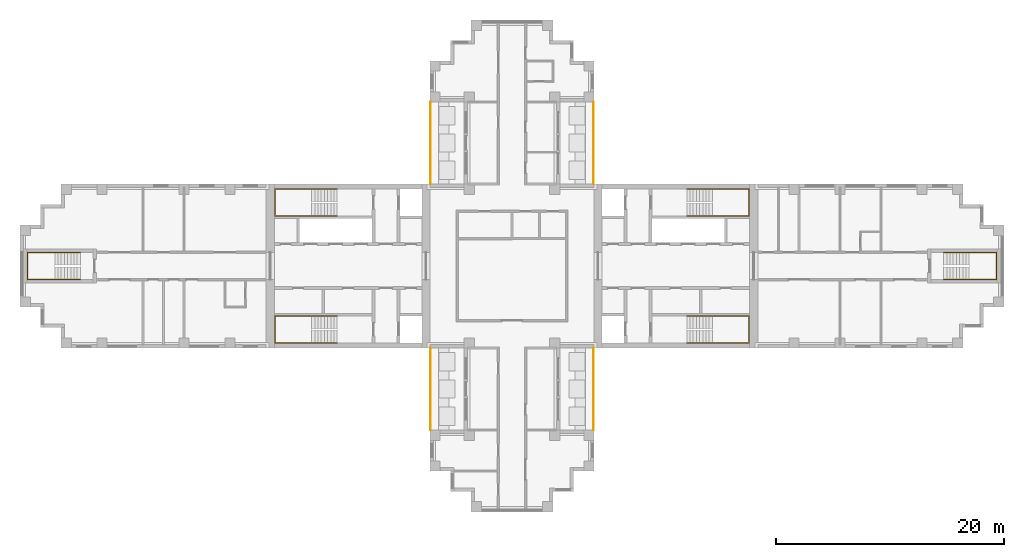
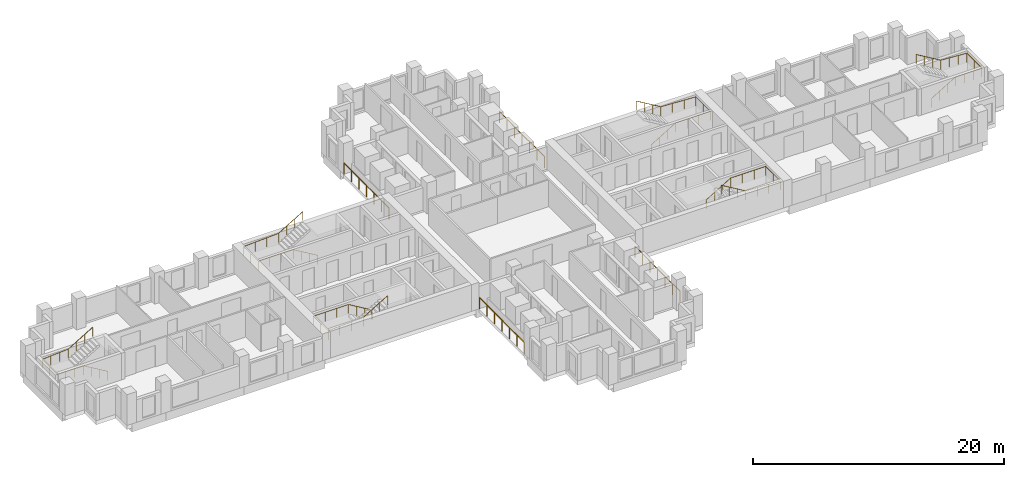
# One storey, part 10 of 11: 10 railings.
"""IFC4 building model written with IfcOpenShell, lengths in metres."""

from ifc_helpers import new_model, si_unit, direction, frame, origin, origin_2d, place, context, subcontext, project, spatial, circle, extrude, material, type_object, element, save


model = new_model("IFC4")

# Units and contexts
model_context = context("Model", 3, precision=1e-05, world=origin(), true_north=direction((0.0, 1.0)))
body_context = subcontext(model_context, "Body", "Model", "MODEL_VIEW")
ifc_project = project(units=[si_unit("LENGTHUNIT", "METRE"), si_unit("AREAUNIT", "SQUARE_METRE"), si_unit("VOLUMEUNIT", "CUBIC_METRE"), si_unit("PLANEANGLEUNIT", "RADIAN"), si_unit("MASSUNIT", "GRAM", prefix="KILO")], contexts=[model_context])

# Site, building, storey
site_placement = place(None, origin())
site = spatial("IfcSite", under=ifc_project, at=site_placement, CompositionType="ELEMENT")
building_placement = place(site_placement, origin())
building = spatial("IfcBuilding", under=site, at=building_placement, Name="Fustian Cross Tower", CompositionType="ELEMENT")
storey_placement = place(building_placement, frame((0.0, 0.0, 138.300048828125)))
storey = spatial("IfcBuildingStorey", under=building, at=storey_placement, Name="L43", CompositionType="ELEMENT", Elevation=138.300048828125)

# Railings
ifc_material_1 = material(Name="Stainless steel and glass", Category="steel")
railing_type_1 = type_object("IfcRailingType", Name="GR1 BALCONY GUARD 1100", PredefinedType="GUARDRAIL", material=ifc_material_1)
for number, where, name in (
    (1, (7.14990234375, 7.199951171875, 0.0), "Balcony guard"),
    (2, (-7.14990234375, 7.199951171875, 0.0), "Balcony guard"),
    (3, (7.14990234375, -14.39990234375, 0.0), "Balcony guard"),
    (4, (-7.14990234375, -14.39990234375, 0.0), "Balcony guard"),
):
    element("IfcRailing", number, at=place(storey_placement, frame(where)), inside=storey, type_object=railing_type_1, Name=name, PredefinedType="GUARDRAIL", context=body_context, shape_type="SweptSolid", body=[
        extrude(circle(Radius=0.02392578125, at=origin_2d()), frame((0.0, 0.0, 1.076171875), z_axis=(0.0, 1.0, 0.0), x_axis=(-1.0, 0.0, 0.0)), (0.0, 0.0, 1.0), 7.199951171875),
        extrude(circle(Radius=0.02099609375, at=origin_2d()), origin(), (0.0, 0.0, 1.0), 1.052001953125),
        extrude(circle(Radius=0.02099609375, at=origin_2d()), frame((0.0, 1.199951171875, 0.0)), (0.0, 0.0, 1.0), 1.052001953125),
        extrude(circle(Radius=0.02099609375, at=origin_2d()), frame((0.0, 2.39990234375, 0.0)), (0.0, 0.0, 1.0), 1.052001953125),
        extrude(circle(Radius=0.02099609375, at=origin_2d()), frame((0.0, 3.60009765625, 0.0)), (0.0, 0.0, 1.0), 1.052001953125),
        extrude(circle(Radius=0.02099609375, at=origin_2d()), frame((0.0, 4.800048828125, 0.0)), (0.0, 0.0, 1.0), 1.052001953125),
        extrude(circle(Radius=0.02099609375, at=origin_2d()), frame((0.0, 6.0, 0.0)), (0.0, 0.0, 1.0), 1.052001953125),
        extrude(circle(Radius=0.02099609375, at=origin_2d()), frame((0.0, 7.199951171875, 0.0)), (0.0, 0.0, 1.0), 1.052001953125),
    ])
ifc_material_2 = material(Name="Stainless steel", Category="steel")
railing_type_2 = type_object("IfcRailingType", Name="STAIR HANDRAIL", PredefinedType="HANDRAIL", material=ifc_material_2)
railing_1_placement = place(storey_placement, frame((15.35009765625, 4.39990234375, 0.16650390625)))
element("IfcRailing", 5, at=railing_1_placement, inside=storey, type_object=railing_type_2, Name="Stair ST1 handrail 1", PredefinedType="HANDRAIL", context=body_context, shape_type="SweptSolid", body=[
    extrude(circle(Radius=0.02490234375, at=origin_2d()), frame((0.0, 0.0, 0.875), z_axis=(0.859264461869, 0.0, 0.511531606619), x_axis=(0.0, 1.0, 0.0)), (0.0, 0.0, 1.0), 2.60693359375),
    extrude(circle(Radius=0.02490234375, at=origin_2d()), frame((2.239990234375, 0.0, 2.20849609375), z_axis=(1.0, 0.0, 0.0), x_axis=(0.0, 1.0, 0.0)), (0.0, 0.0, 1.0), 3.219970703125),
    extrude(circle(Radius=0.02490234375, at=origin_2d()), frame((5.4599609375, 0.0, 2.20849609375), z_axis=(0.0, 1.0, 0.0), x_axis=(-1.0, 0.0, 0.0)), (0.0, 0.0, 1.0), 2.35009765625),
    extrude(circle(Radius=0.02490234375, at=origin_2d()), frame((5.4599609375, 2.35009765625, 2.20849609375), z_axis=(-0.998665725648, 0.0, 0.051640763128), x_axis=(0.0, -1.0, 0.0)), (0.0, 0.0, 1.0), 3.224365234375),
    extrude(circle(Radius=0.02490234375, at=origin_2d()), frame((2.239990234375, 2.35009765625, 2.375), z_axis=(-0.859264461869, 0.0, 0.511531606619), x_axis=(0.0, -1.0, 0.0)), (0.0, 0.0, 1.0), 2.60693359375),
    extrude(circle(Radius=0.02001953125, at=origin_2d()), origin(), (0.0, 0.0, 1.0), 0.849853515625),
    extrude(circle(Radius=0.02001953125, at=origin_2d()), frame((0.74658203125, 0.0, 0.444580078125)), (0.0, 0.0, 1.0), 0.849853515625),
    extrude(circle(Radius=0.02001953125, at=origin_2d()), frame((1.493408203125, 0.0, 0.888916015625)), (0.0, 0.0, 1.0), 0.849853515625),
    extrude(circle(Radius=0.02001953125, at=origin_2d()), frame((2.239990234375, 0.0, 1.33349609375)), (0.0, 0.0, 1.0), 0.849853515625),
    extrude(circle(Radius=0.02001953125, at=origin_2d()), frame((3.313232421875, 0.0, 1.33349609375)), (0.0, 0.0, 1.0), 0.849853515625),
    extrude(circle(Radius=0.02001953125, at=origin_2d()), frame((4.38671875, 0.0, 1.33349609375)), (0.0, 0.0, 1.0), 0.849853515625),
    extrude(circle(Radius=0.02001953125, at=origin_2d()), frame((5.4599609375, 0.0, 1.33349609375)), (0.0, 0.0, 1.0), 0.849853515625),
    extrude(circle(Radius=0.02001953125, at=origin_2d()), frame((5.4599609375, 1.175048828125, 1.33349609375)), (0.0, 0.0, 1.0), 0.849853515625),
    extrude(circle(Radius=0.02001953125, at=origin_2d()), frame((5.4599609375, 2.35009765625, 1.33349609375)), (0.0, 0.0, 1.0), 0.849853515625),
    extrude(circle(Radius=0.02001953125, at=origin_2d()), frame((4.38671875, 2.35009765625, 1.388916015625)), (0.0, 0.0, 1.0), 0.849853515625),
    extrude(circle(Radius=0.02001953125, at=origin_2d()), frame((3.313232421875, 2.35009765625, 1.444580078125)), (0.0, 0.0, 1.0), 0.849853515625),
    extrude(circle(Radius=0.02001953125, at=origin_2d()), frame((2.239990234375, 2.35009765625, 1.5)), (0.0, 0.0, 1.0), 0.849853515625),
    extrude(circle(Radius=0.02001953125, at=origin_2d()), frame((1.493408203125, 2.35009765625, 1.944580078125)), (0.0, 0.0, 1.0), 0.849853515625),
    extrude(circle(Radius=0.02001953125, at=origin_2d()), frame((0.74658203125, 2.35009765625, 2.388916015625)), (0.0, 0.0, 1.0), 0.849853515625),
    extrude(circle(Radius=0.02001953125, at=origin_2d()), frame((0.0, 2.35009765625, 2.83349609375)), (0.0, 0.0, 1.0), 0.849853515625),
])
railing_2_placement = place(storey_placement, frame((15.35009765625, -4.39990234375, 0.16650390625)))
element("IfcRailing", 6, at=railing_2_placement, inside=storey, type_object=railing_type_2, Name="Stair ST2 handrail 1", PredefinedType="HANDRAIL", context=body_context, shape_type="SweptSolid", body=[
    extrude(circle(Radius=0.02490234375, at=origin_2d()), frame((0.0, 0.0, 0.875), z_axis=(0.859264461869, 0.0, 0.511531606619), x_axis=(0.0, 1.0, 0.0)), (0.0, 0.0, 1.0), 2.60693359375),
    extrude(circle(Radius=0.02490234375, at=origin_2d()), frame((2.239990234375, 0.0, 2.20849609375), z_axis=(1.0, 0.0, 0.0), x_axis=(0.0, 1.0, 0.0)), (0.0, 0.0, 1.0), 3.219970703125),
    extrude(circle(Radius=0.02490234375, at=origin_2d()), frame((5.4599609375, 0.0, 2.20849609375), z_axis=(0.0, -1.0, 0.0), x_axis=(1.0, 0.0, 0.0)), (0.0, 0.0, 1.0), 2.35009765625),
    extrude(circle(Radius=0.02490234375, at=origin_2d()), frame((5.4599609375, -2.35009765625, 2.20849609375), z_axis=(-0.998665725648, 0.0, 0.051640763128), x_axis=(0.0, -1.0, 0.0)), (0.0, 0.0, 1.0), 3.224365234375),
    extrude(circle(Radius=0.02490234375, at=origin_2d()), frame((2.239990234375, -2.35009765625, 2.375), z_axis=(-0.859264461869, 0.0, 0.511531606619), x_axis=(0.0, -1.0, 0.0)), (0.0, 0.0, 1.0), 2.60693359375),
    extrude(circle(Radius=0.02001953125, at=origin_2d()), origin(), (0.0, 0.0, 1.0), 0.849853515625),
    extrude(circle(Radius=0.02001953125, at=origin_2d()), frame((0.74658203125, 0.0, 0.444580078125)), (0.0, 0.0, 1.0), 0.849853515625),
    extrude(circle(Radius=0.02001953125, at=origin_2d()), frame((1.493408203125, 0.0, 0.888916015625)), (0.0, 0.0, 1.0), 0.849853515625),
    extrude(circle(Radius=0.02001953125, at=origin_2d()), frame((2.239990234375, 0.0, 1.33349609375)), (0.0, 0.0, 1.0), 0.849853515625),
    extrude(circle(Radius=0.02001953125, at=origin_2d()), frame((3.313232421875, 0.0, 1.33349609375)), (0.0, 0.0, 1.0), 0.849853515625),
    extrude(circle(Radius=0.02001953125, at=origin_2d()), frame((4.38671875, 0.0, 1.33349609375)), (0.0, 0.0, 1.0), 0.849853515625),
    extrude(circle(Radius=0.02001953125, at=origin_2d()), frame((5.4599609375, 0.0, 1.33349609375)), (0.0, 0.0, 1.0), 0.849853515625),
    extrude(circle(Radius=0.02001953125, at=origin_2d()), frame((5.4599609375, -1.175048828125, 1.33349609375)), (0.0, 0.0, 1.0), 0.849853515625),
    extrude(circle(Radius=0.02001953125, at=origin_2d()), frame((5.4599609375, -2.35009765625, 1.33349609375)), (0.0, 0.0, 1.0), 0.849853515625),
    extrude(circle(Radius=0.02001953125, at=origin_2d()), frame((4.38671875, -2.35009765625, 1.388916015625)), (0.0, 0.0, 1.0), 0.849853515625),
    extrude(circle(Radius=0.02001953125, at=origin_2d()), frame((3.313232421875, -2.35009765625, 1.444580078125)), (0.0, 0.0, 1.0), 0.849853515625),
    extrude(circle(Radius=0.02001953125, at=origin_2d()), frame((2.239990234375, -2.35009765625, 1.5)), (0.0, 0.0, 1.0), 0.849853515625),
    extrude(circle(Radius=0.02001953125, at=origin_2d()), frame((1.493408203125, -2.35009765625, 1.944580078125)), (0.0, 0.0, 1.0), 0.849853515625),
    extrude(circle(Radius=0.02001953125, at=origin_2d()), frame((0.74658203125, -2.35009765625, 2.388916015625)), (0.0, 0.0, 1.0), 0.849853515625),
    extrude(circle(Radius=0.02001953125, at=origin_2d()), frame((0.0, -2.35009765625, 2.83349609375)), (0.0, 0.0, 1.0), 0.849853515625),
])
railing_3_placement = place(storey_placement, frame((-15.35009765625, 4.39990234375, 0.16650390625)))
element("IfcRailing", 7, at=railing_3_placement, inside=storey, type_object=railing_type_2, Name="Stair ST3 handrail 1", PredefinedType="HANDRAIL", context=body_context, shape_type="SweptSolid", body=[
    extrude(circle(Radius=0.02490234375, at=origin_2d()), frame((0.0, 0.0, 0.875), z_axis=(-0.859264461869, 0.0, 0.511531606619), x_axis=(0.0, -1.0, 0.0)), (0.0, 0.0, 1.0), 2.60693359375),
    extrude(circle(Radius=0.02490234375, at=origin_2d()), frame((-2.239990234375, 0.0, 2.20849609375), z_axis=(-1.0, 0.0, 0.0), x_axis=(0.0, -1.0, 0.0)), (0.0, 0.0, 1.0), 3.219970703125),
    extrude(circle(Radius=0.02490234375, at=origin_2d()), frame((-5.4599609375, 0.0, 2.20849609375), z_axis=(0.0, 1.0, 0.0), x_axis=(-1.0, 0.0, 0.0)), (0.0, 0.0, 1.0), 2.35009765625),
    extrude(circle(Radius=0.02490234375, at=origin_2d()), frame((-5.4599609375, 2.35009765625, 2.20849609375), z_axis=(0.998665725648, 0.0, 0.051640763128), x_axis=(0.0, 1.0, 0.0)), (0.0, 0.0, 1.0), 3.224365234375),
    extrude(circle(Radius=0.02490234375, at=origin_2d()), frame((-2.239990234375, 2.35009765625, 2.375), z_axis=(0.859264461869, 0.0, 0.511531606619), x_axis=(0.0, 1.0, 0.0)), (0.0, 0.0, 1.0), 2.60693359375),
    extrude(circle(Radius=0.02001953125, at=origin_2d()), origin(), (0.0, 0.0, 1.0), 0.849853515625),
    extrude(circle(Radius=0.02001953125, at=origin_2d()), frame((-0.74658203125, 0.0, 0.444580078125)), (0.0, 0.0, 1.0), 0.849853515625),
    extrude(circle(Radius=0.02001953125, at=origin_2d()), frame((-1.493408203125, 0.0, 0.888916015625)), (0.0, 0.0, 1.0), 0.849853515625),
    extrude(circle(Radius=0.02001953125, at=origin_2d()), frame((-2.239990234375, 0.0, 1.33349609375)), (0.0, 0.0, 1.0), 0.849853515625),
    extrude(circle(Radius=0.02001953125, at=origin_2d()), frame((-3.313232421875, 0.0, 1.33349609375)), (0.0, 0.0, 1.0), 0.849853515625),
    extrude(circle(Radius=0.02001953125, at=origin_2d()), frame((-4.38671875, 0.0, 1.33349609375)), (0.0, 0.0, 1.0), 0.849853515625),
    extrude(circle(Radius=0.02001953125, at=origin_2d()), frame((-5.4599609375, 0.0, 1.33349609375)), (0.0, 0.0, 1.0), 0.849853515625),
    extrude(circle(Radius=0.02001953125, at=origin_2d()), frame((-5.4599609375, 1.175048828125, 1.33349609375)), (0.0, 0.0, 1.0), 0.849853515625),
    extrude(circle(Radius=0.02001953125, at=origin_2d()), frame((-5.4599609375, 2.35009765625, 1.33349609375)), (0.0, 0.0, 1.0), 0.849853515625),
    extrude(circle(Radius=0.02001953125, at=origin_2d()), frame((-4.38671875, 2.35009765625, 1.388916015625)), (0.0, 0.0, 1.0), 0.849853515625),
    extrude(circle(Radius=0.02001953125, at=origin_2d()), frame((-3.313232421875, 2.35009765625, 1.444580078125)), (0.0, 0.0, 1.0), 0.849853515625),
    extrude(circle(Radius=0.02001953125, at=origin_2d()), frame((-2.239990234375, 2.35009765625, 1.5)), (0.0, 0.0, 1.0), 0.849853515625),
    extrude(circle(Radius=0.02001953125, at=origin_2d()), frame((-1.493408203125, 2.35009765625, 1.944580078125)), (0.0, 0.0, 1.0), 0.849853515625),
    extrude(circle(Radius=0.02001953125, at=origin_2d()), frame((-0.74658203125, 2.35009765625, 2.388916015625)), (0.0, 0.0, 1.0), 0.849853515625),
    extrude(circle(Radius=0.02001953125, at=origin_2d()), frame((0.0, 2.35009765625, 2.83349609375)), (0.0, 0.0, 1.0), 0.849853515625),
])
railing_4_placement = place(storey_placement, frame((-15.35009765625, -4.39990234375, 0.16650390625)))
element("IfcRailing", 8, at=railing_4_placement, inside=storey, type_object=railing_type_2, Name="Stair ST4 handrail 1", PredefinedType="HANDRAIL", context=body_context, shape_type="SweptSolid", body=[
    extrude(circle(Radius=0.02490234375, at=origin_2d()), frame((0.0, 0.0, 0.875), z_axis=(-0.859264461869, 0.0, 0.511531606619), x_axis=(0.0, -1.0, 0.0)), (0.0, 0.0, 1.0), 2.60693359375),
    extrude(circle(Radius=0.02490234375, at=origin_2d()), frame((-2.239990234375, 0.0, 2.20849609375), z_axis=(-1.0, 0.0, 0.0), x_axis=(0.0, -1.0, 0.0)), (0.0, 0.0, 1.0), 3.219970703125),
    extrude(circle(Radius=0.02490234375, at=origin_2d()), frame((-5.4599609375, 0.0, 2.20849609375), z_axis=(0.0, -1.0, 0.0), x_axis=(1.0, 0.0, 0.0)), (0.0, 0.0, 1.0), 2.35009765625),
    extrude(circle(Radius=0.02490234375, at=origin_2d()), frame((-5.4599609375, -2.35009765625, 2.20849609375), z_axis=(0.998665725648, 0.0, 0.051640763128), x_axis=(0.0, 1.0, 0.0)), (0.0, 0.0, 1.0), 3.224365234375),
    extrude(circle(Radius=0.02490234375, at=origin_2d()), frame((-2.239990234375, -2.35009765625, 2.375), z_axis=(0.859264461869, 0.0, 0.511531606619), x_axis=(0.0, 1.0, 0.0)), (0.0, 0.0, 1.0), 2.60693359375),
    extrude(circle(Radius=0.02001953125, at=origin_2d()), origin(), (0.0, 0.0, 1.0), 0.849853515625),
    extrude(circle(Radius=0.02001953125, at=origin_2d()), frame((-0.74658203125, 0.0, 0.444580078125)), (0.0, 0.0, 1.0), 0.849853515625),
    extrude(circle(Radius=0.02001953125, at=origin_2d()), frame((-1.493408203125, 0.0, 0.888916015625)), (0.0, 0.0, 1.0), 0.849853515625),
    extrude(circle(Radius=0.02001953125, at=origin_2d()), frame((-2.239990234375, 0.0, 1.33349609375)), (0.0, 0.0, 1.0), 0.849853515625),
    extrude(circle(Radius=0.02001953125, at=origin_2d()), frame((-3.313232421875, 0.0, 1.33349609375)), (0.0, 0.0, 1.0), 0.849853515625),
    extrude(circle(Radius=0.02001953125, at=origin_2d()), frame((-4.38671875, 0.0, 1.33349609375)), (0.0, 0.0, 1.0), 0.849853515625),
    extrude(circle(Radius=0.02001953125, at=origin_2d()), frame((-5.4599609375, 0.0, 1.33349609375)), (0.0, 0.0, 1.0), 0.849853515625),
    extrude(circle(Radius=0.02001953125, at=origin_2d()), frame((-5.4599609375, -1.175048828125, 1.33349609375)), (0.0, 0.0, 1.0), 0.849853515625),
    extrude(circle(Radius=0.02001953125, at=origin_2d()), frame((-5.4599609375, -2.35009765625, 1.33349609375)), (0.0, 0.0, 1.0), 0.849853515625),
    extrude(circle(Radius=0.02001953125, at=origin_2d()), frame((-4.38671875, -2.35009765625, 1.388916015625)), (0.0, 0.0, 1.0), 0.849853515625),
    extrude(circle(Radius=0.02001953125, at=origin_2d()), frame((-3.313232421875, -2.35009765625, 1.444580078125)), (0.0, 0.0, 1.0), 0.849853515625),
    extrude(circle(Radius=0.02001953125, at=origin_2d()), frame((-2.239990234375, -2.35009765625, 1.5)), (0.0, 0.0, 1.0), 0.849853515625),
    extrude(circle(Radius=0.02001953125, at=origin_2d()), frame((-1.493408203125, -2.35009765625, 1.944580078125)), (0.0, 0.0, 1.0), 0.849853515625),
    extrude(circle(Radius=0.02001953125, at=origin_2d()), frame((-0.74658203125, -2.35009765625, 2.388916015625)), (0.0, 0.0, 1.0), 0.849853515625),
    extrude(circle(Radius=0.02001953125, at=origin_2d()), frame((0.0, -2.35009765625, 2.83349609375)), (0.0, 0.0, 1.0), 0.849853515625),
])
railing_5_placement = place(storey_placement, frame((37.89990234375, -1.199951171875, 0.16650390625)))
element("IfcRailing", 9, at=railing_5_placement, inside=storey, type_object=railing_type_2, Name="Stair ST8 handrail 1", PredefinedType="HANDRAIL", context=body_context, shape_type="SweptSolid", body=[
    extrude(circle(Radius=0.02490234375, at=origin_2d()), frame((0.0, 0.0, 0.875), z_axis=(0.859264461869, 0.0, 0.511531606619), x_axis=(0.0, 1.0, 0.0)), (0.0, 0.0, 1.0), 2.60693359375),
    extrude(circle(Radius=0.02490234375, at=origin_2d()), frame((2.239990234375, 0.0, 2.20849609375), z_axis=(1.0, 0.0, 0.0), x_axis=(0.0, 1.0, 0.0)), (0.0, 0.0, 1.0), 2.420166015625),
    extrude(circle(Radius=0.02490234375, at=origin_2d()), frame((4.66015625, 0.0, 2.20849609375), z_axis=(0.0, 1.0, 0.0), x_axis=(-1.0, 0.0, 0.0)), (0.0, 0.0, 1.0), 2.39990234375),
    extrude(circle(Radius=0.02490234375, at=origin_2d()), frame((4.66015625, 2.39990234375, 2.20849609375), z_axis=(-0.997641748275, 0.0, 0.068636303069), x_axis=(0.0, -1.0, 0.0)), (0.0, 0.0, 1.0), 2.42578125),
    extrude(circle(Radius=0.02490234375, at=origin_2d()), frame((2.239990234375, 2.39990234375, 2.375), z_axis=(-0.859264461869, 0.0, 0.511531606619), x_axis=(0.0, -1.0, 0.0)), (0.0, 0.0, 1.0), 2.60693359375),
    extrude(circle(Radius=0.02001953125, at=origin_2d()), origin(), (0.0, 0.0, 1.0), 0.849853515625),
    extrude(circle(Radius=0.02001953125, at=origin_2d()), frame((0.74658203125, 0.0, 0.444580078125)), (0.0, 0.0, 1.0), 0.849853515625),
    extrude(circle(Radius=0.02001953125, at=origin_2d()), frame((1.493408203125, 0.0, 0.888916015625)), (0.0, 0.0, 1.0), 0.849853515625),
    extrude(circle(Radius=0.02001953125, at=origin_2d()), frame((2.239990234375, 0.0, 1.33349609375)), (0.0, 0.0, 1.0), 0.849853515625),
    extrude(circle(Radius=0.02001953125, at=origin_2d()), frame((3.046630859375, 0.0, 1.33349609375)), (0.0, 0.0, 1.0), 0.849853515625),
    extrude(circle(Radius=0.02001953125, at=origin_2d()), frame((3.853515625, 0.0, 1.33349609375)), (0.0, 0.0, 1.0), 0.849853515625),
    extrude(circle(Radius=0.02001953125, at=origin_2d()), frame((4.66015625, 0.0, 1.33349609375)), (0.0, 0.0, 1.0), 0.849853515625),
    extrude(circle(Radius=0.02001953125, at=origin_2d()), frame((4.66015625, 1.199951171875, 1.33349609375)), (0.0, 0.0, 1.0), 0.849853515625),
    extrude(circle(Radius=0.02001953125, at=origin_2d()), frame((4.66015625, 2.39990234375, 1.33349609375)), (0.0, 0.0, 1.0), 0.849853515625),
    extrude(circle(Radius=0.02001953125, at=origin_2d()), frame((3.853515625, 2.39990234375, 1.388916015625)), (0.0, 0.0, 1.0), 0.849853515625),
    extrude(circle(Radius=0.02001953125, at=origin_2d()), frame((3.046630859375, 2.39990234375, 1.444580078125)), (0.0, 0.0, 1.0), 0.849853515625),
    extrude(circle(Radius=0.02001953125, at=origin_2d()), frame((2.239990234375, 2.39990234375, 1.5)), (0.0, 0.0, 1.0), 0.849853515625),
    extrude(circle(Radius=0.02001953125, at=origin_2d()), frame((1.493408203125, 2.39990234375, 1.944580078125)), (0.0, 0.0, 1.0), 0.849853515625),
    extrude(circle(Radius=0.02001953125, at=origin_2d()), frame((0.74658203125, 2.39990234375, 2.388916015625)), (0.0, 0.0, 1.0), 0.849853515625),
    extrude(circle(Radius=0.02001953125, at=origin_2d()), frame((0.0, 2.39990234375, 2.83349609375)), (0.0, 0.0, 1.0), 0.849853515625),
])
railing_6_placement = place(storey_placement, frame((-37.89990234375, -1.199951171875, 0.16650390625)))
element("IfcRailing", 10, at=railing_6_placement, inside=storey, type_object=railing_type_2, Name="Stair ST9 handrail 1", PredefinedType="HANDRAIL", context=body_context, shape_type="SweptSolid", body=[
    extrude(circle(Radius=0.02490234375, at=origin_2d()), frame((0.0, 0.0, 0.875), z_axis=(-0.859264461869, 0.0, 0.511531606619), x_axis=(0.0, -1.0, 0.0)), (0.0, 0.0, 1.0), 2.60693359375),
    extrude(circle(Radius=0.02490234375, at=origin_2d()), frame((-2.239990234375, 0.0, 2.20849609375), z_axis=(-1.0, 0.0, 0.0), x_axis=(0.0, -1.0, 0.0)), (0.0, 0.0, 1.0), 2.420166015625),
    extrude(circle(Radius=0.02490234375, at=origin_2d()), frame((-4.66015625, 0.0, 2.20849609375), z_axis=(0.0, 1.0, 0.0), x_axis=(-1.0, 0.0, 0.0)), (0.0, 0.0, 1.0), 2.39990234375),
    extrude(circle(Radius=0.02490234375, at=origin_2d()), frame((-4.66015625, 2.39990234375, 2.20849609375), z_axis=(0.997641748275, 0.0, 0.068636303069), x_axis=(0.0, 1.0, 0.0)), (0.0, 0.0, 1.0), 2.42578125),
    extrude(circle(Radius=0.02490234375, at=origin_2d()), frame((-2.239990234375, 2.39990234375, 2.375), z_axis=(0.859264461869, 0.0, 0.511531606619), x_axis=(0.0, 1.0, 0.0)), (0.0, 0.0, 1.0), 2.60693359375),
    extrude(circle(Radius=0.02001953125, at=origin_2d()), origin(), (0.0, 0.0, 1.0), 0.849853515625),
    extrude(circle(Radius=0.02001953125, at=origin_2d()), frame((-0.74658203125, 0.0, 0.444580078125)), (0.0, 0.0, 1.0), 0.849853515625),
    extrude(circle(Radius=0.02001953125, at=origin_2d()), frame((-1.493408203125, 0.0, 0.888916015625)), (0.0, 0.0, 1.0), 0.849853515625),
    extrude(circle(Radius=0.02001953125, at=origin_2d()), frame((-2.239990234375, 0.0, 1.33349609375)), (0.0, 0.0, 1.0), 0.849853515625),
    extrude(circle(Radius=0.02001953125, at=origin_2d()), frame((-3.046630859375, 0.0, 1.33349609375)), (0.0, 0.0, 1.0), 0.849853515625),
    extrude(circle(Radius=0.02001953125, at=origin_2d()), frame((-3.853515625, 0.0, 1.33349609375)), (0.0, 0.0, 1.0), 0.849853515625),
    extrude(circle(Radius=0.02001953125, at=origin_2d()), frame((-4.66015625, 0.0, 1.33349609375)), (0.0, 0.0, 1.0), 0.849853515625),
    extrude(circle(Radius=0.02001953125, at=origin_2d()), frame((-4.66015625, 1.199951171875, 1.33349609375)), (0.0, 0.0, 1.0), 0.849853515625),
    extrude(circle(Radius=0.02001953125, at=origin_2d()), frame((-4.66015625, 2.39990234375, 1.33349609375)), (0.0, 0.0, 1.0), 0.849853515625),
    extrude(circle(Radius=0.02001953125, at=origin_2d()), frame((-3.853515625, 2.39990234375, 1.388916015625)), (0.0, 0.0, 1.0), 0.849853515625),
    extrude(circle(Radius=0.02001953125, at=origin_2d()), frame((-3.046630859375, 2.39990234375, 1.444580078125)), (0.0, 0.0, 1.0), 0.849853515625),
    extrude(circle(Radius=0.02001953125, at=origin_2d()), frame((-2.239990234375, 2.39990234375, 1.5)), (0.0, 0.0, 1.0), 0.849853515625),
    extrude(circle(Radius=0.02001953125, at=origin_2d()), frame((-1.493408203125, 2.39990234375, 1.944580078125)), (0.0, 0.0, 1.0), 0.849853515625),
    extrude(circle(Radius=0.02001953125, at=origin_2d()), frame((-0.74658203125, 2.39990234375, 2.388916015625)), (0.0, 0.0, 1.0), 0.849853515625),
    extrude(circle(Radius=0.02001953125, at=origin_2d()), frame((0.0, 2.39990234375, 2.83349609375)), (0.0, 0.0, 1.0), 0.849853515625),
])

save(model, "model.ifc")
